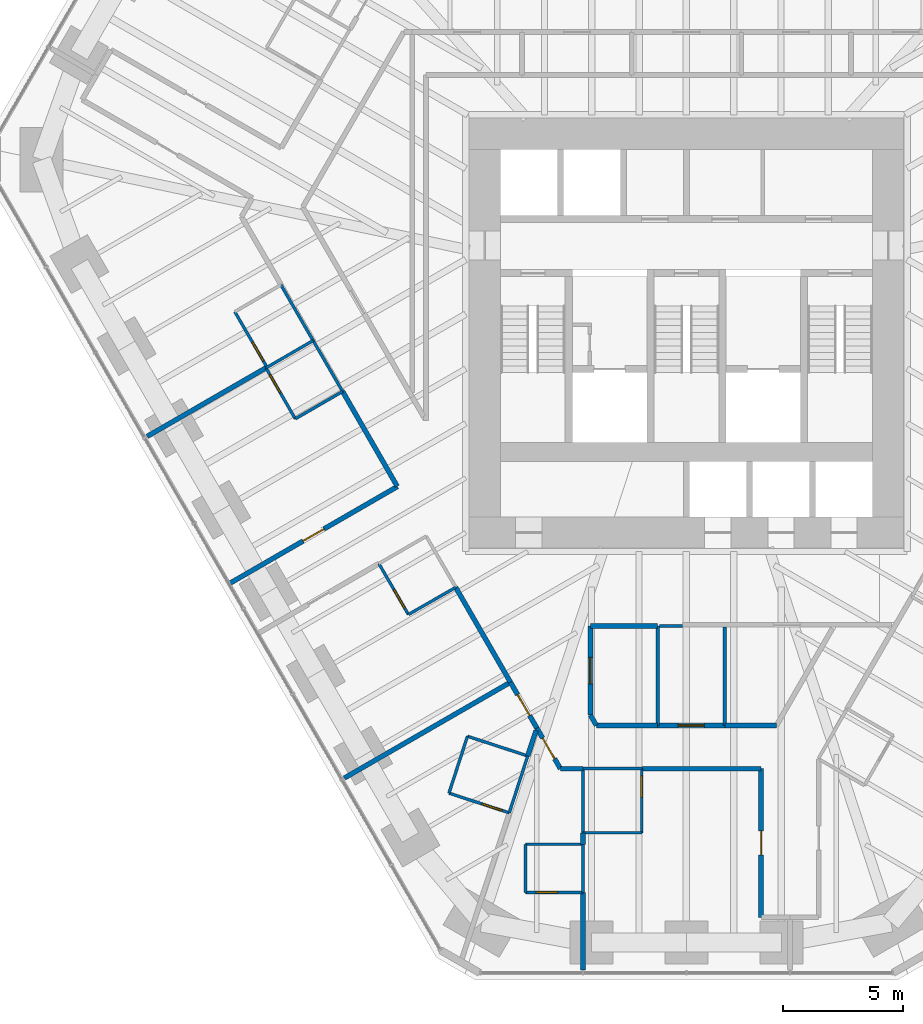
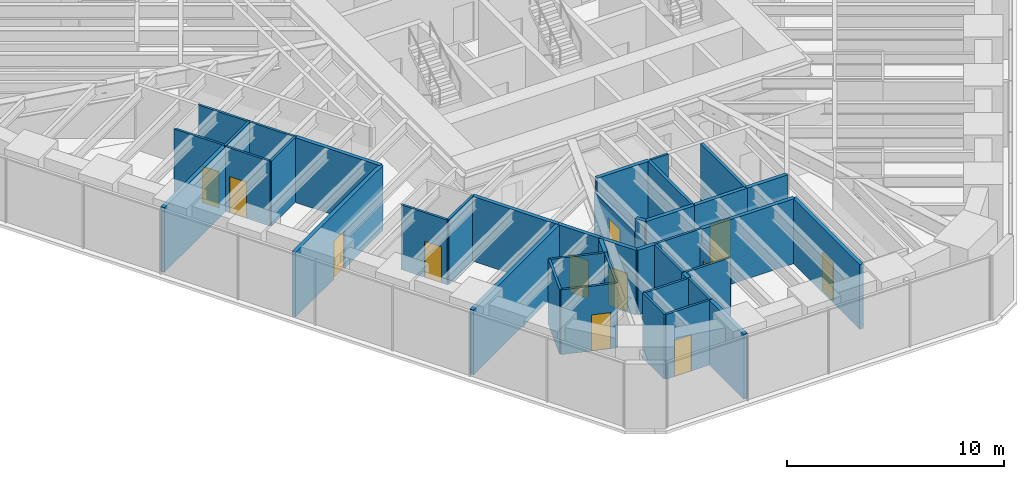
# One storey, part 11 of 17: 42 walls, 12 doors, 12 openings.
"""IFC4 building model written with IfcOpenShell, lengths in metres."""

from ifc_helpers import new_model, si_unit, direction, frame, frame_2d, origin, place, context, subcontext, project, spatial, rectangle, extrude, material, layer, layer_set, type_object, element, fill, save


model = new_model("IFC4")

# Units and contexts
model_context = context("Model", 3, precision=1e-05, world=origin(), true_north=direction((0.0, 1.0)))
body_context = subcontext(model_context, "Body", "Model", "MODEL_VIEW")
ifc_project = project(units=[si_unit("LENGTHUNIT", "METRE"), si_unit("AREAUNIT", "SQUARE_METRE"), si_unit("VOLUMEUNIT", "CUBIC_METRE"), si_unit("PLANEANGLEUNIT", "RADIAN"), si_unit("MASSUNIT", "GRAM", prefix="KILO")], contexts=[model_context])

# Site, building, storey
site_placement = place(None, origin())
site = spatial("IfcSite", under=ifc_project, at=site_placement, CompositionType="ELEMENT")
building_placement = place(site_placement, origin())
building = spatial("IfcBuilding", under=site, at=building_placement, Name="Sandreach Pilgrim Tower", CompositionType="ELEMENT")
storey_placement = place(building_placement, frame((0.0, 0.0, 119.60009765625)))
storey = spatial("IfcBuildingStorey", under=building, at=storey_placement, Name="L29", CompositionType="ELEMENT", Elevation=119.60009765625)

# Walls
ifc_material_1 = material(Name="Gypsum board on steel studs", Category="steel")
ifc_layer_1 = layer(ifc_material_1, 0.14990234375)
ifc_layer_set_1 = layer_set([ifc_layer_1], Name="Back of house wall 150")
wall_type_1 = type_object("IfcWallType", Name="Back of house wall 150", PredefinedType="PARTITIONING", material=ifc_layer_set_1)
wall_1_placement = place(storey_placement, frame((-1.199951171875, -13.75, 0.0), z_axis=(0.0, 0.0, 1.0), x_axis=(0.0, -1.0, 0.0)))
element("IfcWall", 1, at=wall_1_placement, inside=storey, type_object=wall_type_1, Name="Back of house wall L29-089", PredefinedType="PARTITIONING", context=body_context, shape_type="SweptSolid", body=[
    extrude(rectangle(XDim=4.139892578125, YDim=0.14990234375, at=frame_2d((2.06982421875, 0.0))), origin(), (0.0, 0.0, 1.0), 3.639892578125),
])
wall_2_placement = place(storey_placement, frame((1.60009765625, -13.800048828125, 0.0), z_axis=(0.0, 0.0, 1.0), x_axis=(0.0, -1.0, 0.0)))
element("IfcWall", 2, at=wall_2_placement, inside=storey, type_object=wall_type_1, Name="Back of house wall L29-093", PredefinedType="PARTITIONING", context=body_context, shape_type="SweptSolid", body=[
    extrude(rectangle(XDim=4.08984375, YDim=0.14990234375, at=frame_2d((2.044921875, 0.0))), origin(), (0.0, 0.0, 1.0), 3.639892578125),
])

# Wall, opening, door
ifc_material_2 = material(Name="Moisture-resistant gypsum board on steel studs", Category="steel")
ifc_layer_2 = layer(ifc_material_2, 0.1201171875)
ifc_layer_set_2 = layer_set([ifc_layer_2], Name="Bathroom partition 120")
wall_type_2 = type_object("IfcWallType", Name="Bathroom partition 120", PredefinedType="PARTITIONING", material=ifc_layer_set_2)
wall_3_placement = place(storey_placement, frame((-18.81005859375, -0.659912109375, 0.0), z_axis=(0.0, 0.0, 1.0), x_axis=(0.501789229896, -0.86498992408, 0.0)))
wall_3 = element("IfcWall", 3, at=wall_3_placement, inside=storey, type_object=wall_type_2, Name="Bathroom partition L29-007", PredefinedType="PARTITIONING", context=body_context, shape_type="SweptSolid", body=[
    extrude(rectangle(XDim=2.670654296875, YDim=0.1201171875, at=frame_2d((1.33544921875, 0.0))), origin(), (0.0, 0.0, 1.0), 3.639892578125),
])
opening_1_placement = place(wall_3_placement, frame((1.470458984375, 0.0, 0.0)))
opening_1 = element("IfcOpeningElement", 4, at=opening_1_placement, cuts=wall_3, Name="Opening D09-17B", PredefinedType="OPENING", context=body_context, shape_type="SweptSolid", body=[
    extrude(rectangle(XDim=0.89990234375, YDim=2.030029296875, at=frame_2d((0.449951171875, 1.01513671875))), frame((0.0, 0.06005859375, 0.0), z_axis=(0.0, -1.0, 0.0), x_axis=(1.0, 0.0, 0.0)), (0.0, 0.0, 1.0), 0.1201171875),
])
ifc_material_3 = material(Name="Timber door, steel frame", Category="steel")
door_type_1 = type_object("IfcDoorType", Name="Bathroom door", OperationType="SINGLE_SWING_LEFT", PredefinedType="DOOR", material=ifc_material_3)
door_1_placement = place(opening_1_placement, origin())
door_1 = element("IfcDoor", 5, at=door_1_placement, inside=storey, type_object=door_type_1, Name="Door 2917B", OperationType="SINGLE_SWING_RIGHT", OverallHeight=2.030029296875, OverallWidth=0.89990234375, PredefinedType="DOOR", context=body_context, shape_type="SweptSolid", body=[
    extrude(rectangle(XDim=0.89990234375, YDim=2.030029296875, at=frame_2d((0.449951171875, 1.01513671875))), frame((0.0, 0.02490234375, 0.0), z_axis=(0.0, -1.0, 0.0), x_axis=(1.0, 0.0, 0.0)), (0.0, 0.0, 1.0), 0.050048828125),
])
fill(opening_1, door_1)

# Wall
wall_4_placement = place(storey_placement, frame((-17.510009765625, -3.0, 0.0), z_axis=(0.0, 0.0, 1.0), x_axis=(0.864434275542, 0.502745843611, 0.0)))
element("IfcWall", 6, at=wall_4_placement, inside=storey, type_object=wall_type_2, Name="Bathroom partition L29-011", PredefinedType="PARTITIONING", context=body_context, shape_type="SweptSolid", body=[
    extrude(rectangle(XDim=2.267333984375, YDim=0.1201171875, at=frame_2d((1.1337890625, 0.0))), origin(), (0.0, 0.0, 1.0), 3.639892578125),
])

# Wall, opening, door
wall_5_placement = place(storey_placement, frame((-17.507568359375, -3.00439453125, 0.0), z_axis=(0.0, 0.0, 1.0), x_axis=(0.498775507858, -0.866731211369, 0.0)))
wall_5 = element("IfcWall", 7, at=wall_5_placement, inside=storey, type_object=wall_type_2, Name="Bathroom partition L29-012", PredefinedType="PARTITIONING", context=body_context, shape_type="SweptSolid", body=[
    extrude(rectangle(XDim=2.44091796875, YDim=0.1201171875, at=frame_2d((1.220458984375, 0.0))), origin(), (0.0, 0.0, 1.0), 3.639892578125),
])
opening_2_placement = place(wall_5_placement, frame((0.300048828125, 0.0, 0.0)))
opening_2 = element("IfcOpeningElement", 8, at=opening_2_placement, cuts=wall_5, Name="Opening D09-16B", PredefinedType="OPENING", context=body_context, shape_type="SweptSolid", body=[
    extrude(rectangle(XDim=0.89990234375, YDim=2.030029296875, at=frame_2d((0.449951171875, 1.01513671875))), frame((0.0, 0.06005859375, 0.0), z_axis=(0.0, -1.0, 0.0), x_axis=(1.0, 0.0, 0.0)), (0.0, 0.0, 1.0), 0.1201171875),
])
door_2_placement = place(opening_2_placement, origin())
door_2 = element("IfcDoor", 9, at=door_2_placement, inside=storey, type_object=door_type_1, Name="Door 2916B", OperationType="SINGLE_SWING_LEFT", OverallHeight=2.030029296875, OverallWidth=0.89990234375, PredefinedType="DOOR", context=body_context, shape_type="SweptSolid", body=[
    extrude(rectangle(XDim=0.89990234375, YDim=2.030029296875, at=frame_2d((0.449951171875, 1.01513671875))), frame((0.0, 0.02490234375, 0.0), z_axis=(0.0, -1.0, 0.0), x_axis=(1.0, 0.0, 0.0)), (0.0, 0.0, 1.0), 0.050048828125),
])
fill(opening_2, door_2)

# Walls
wall_6_placement = place(storey_placement, frame((-16.2900390625, -5.1201171875, 0.0), z_axis=(0.0, 0.0, 1.0), x_axis=(0.865497265561, 0.500913648553, 0.0)))
element("IfcWall", 10, at=wall_6_placement, inside=storey, type_object=wall_type_2, Name="Bathroom partition L29-019", PredefinedType="PARTITIONING", context=body_context, shape_type="SweptSolid", body=[
    extrude(rectangle(XDim=2.276123046875, YDim=0.1201171875, at=frame_2d((1.13818359375, 0.0))), origin(), (0.0, 0.0, 1.0), 3.639892578125),
])
wall_7_placement = place(storey_placement, frame((-15.550048828125, -1.860107421875, 0.0), z_axis=(0.0, 0.0, 1.0), x_axis=(-0.500098439427, 0.865968562295, 0.0)))
element("IfcWall", 11, at=wall_7_placement, inside=storey, type_object=wall_type_2, Name="Bathroom partition L29-024", PredefinedType="PARTITIONING", context=body_context, shape_type="SweptSolid", body=[
    extrude(rectangle(XDim=2.67919921875, YDim=0.1201171875, at=frame_2d((1.339599609375, 0.0))), origin(), (0.0, 0.0, 1.0), 3.639892578125),
])
wall_8_placement = place(storey_placement, frame((-15.550048828125, -1.860107421875, 0.0), z_axis=(0.0, 0.0, 1.0), x_axis=(0.501856726365, -0.86495076519, 0.0)))
element("IfcWall", 12, at=wall_8_placement, inside=storey, type_object=wall_type_2, Name="Bathroom partition L29-025", PredefinedType="PARTITIONING", context=body_context, shape_type="SweptSolid", body=[
    extrude(rectangle(XDim=2.450927734375, YDim=0.1201171875, at=frame_2d((1.2255859375, 0.0))), origin(), (0.0, 0.0, 1.0), 3.639892578125),
])

# Wall, opening, door
wall_9_placement = place(storey_placement, frame((-12.81005859375, -11.14990234375, 0.0), z_axis=(0.0, 0.0, 1.0), x_axis=(0.501813488763, -0.864975850817, 0.0)))
wall_9 = element("IfcWall", 13, at=wall_9_placement, inside=storey, type_object=wall_type_2, Name="Bathroom partition L29-034", PredefinedType="PARTITIONING", context=body_context, shape_type="SweptSolid", body=[
    extrude(rectangle(XDim=2.451171875, YDim=0.1201171875, at=frame_2d((1.2255859375, 0.0))), origin(), (0.0, 0.0, 1.0), 3.639892578125),
])
opening_3_placement = place(wall_9_placement, frame((1.2509765625, 0.0, 0.0)))
opening_3 = element("IfcOpeningElement", 14, at=opening_3_placement, cuts=wall_9, Name="Opening D09-15B", PredefinedType="OPENING", context=body_context, shape_type="SweptSolid", body=[
    extrude(rectangle(XDim=0.89990234375, YDim=2.030029296875, at=frame_2d((0.449951171875, 1.01513671875))), frame((0.0, 0.06005859375, 0.0), z_axis=(0.0, -1.0, 0.0), x_axis=(1.0, 0.0, 0.0)), (0.0, 0.0, 1.0), 0.1201171875),
])
door_3_placement = place(opening_3_placement, origin())
door_3 = element("IfcDoor", 15, at=door_3_placement, inside=storey, type_object=door_type_1, Name="Door 2915B", OperationType="SINGLE_SWING_RIGHT", OverallHeight=2.030029296875, OverallWidth=0.89990234375, PredefinedType="DOOR", context=body_context, shape_type="SweptSolid", body=[
    extrude(rectangle(XDim=0.89990234375, YDim=2.030029296875, at=frame_2d((0.449951171875, 1.01513671875))), frame((0.0, 0.02490234375, 0.0), z_axis=(0.0, -1.0, 0.0), x_axis=(1.0, 0.0, 0.0)), (0.0, 0.0, 1.0), 0.050048828125),
])
fill(opening_3, door_3)

# Wall
wall_10_placement = place(storey_placement, frame((-11.580078125, -13.27001953125, 0.0), z_axis=(0.0, 0.0, 1.0), x_axis=(0.867428373024, 0.497562074192, 0.0)))
element("IfcWall", 16, at=wall_10_placement, inside=storey, type_object=wall_type_2, Name="Bathroom partition L29-041", PredefinedType="PARTITIONING", context=body_context, shape_type="SweptSolid", body=[
    extrude(rectangle(XDim=2.271240234375, YDim=0.1201171875, at=frame_2d((1.1357421875, 0.0))), origin(), (0.0, 0.0, 1.0), 3.639892578125),
])

# Wall, opening, door
wall_11_placement = place(storey_placement, frame((-9.889892578125, -20.7099609375, 0.0), z_axis=(0.0, 0.0, 1.0), x_axis=(0.950543631688, -0.310591056307, 0.0)))
wall_11 = element("IfcWall", 17, at=wall_11_placement, inside=storey, type_object=wall_type_2, Name="Bathroom partition L29-050", PredefinedType="PARTITIONING", context=body_context, shape_type="SweptSolid", body=[
    extrude(rectangle(XDim=2.640380859375, YDim=0.1201171875, at=frame_2d((1.3203125, 0.0))), origin(), (0.0, 0.0, 1.0), 3.639892578125),
])
opening_4_placement = place(wall_11_placement, frame((1.4404296875, 0.0, 0.0)))
opening_4 = element("IfcOpeningElement", 18, at=opening_4_placement, cuts=wall_11, Name="Opening D09-14B", PredefinedType="OPENING", context=body_context, shape_type="SweptSolid", body=[
    extrude(rectangle(XDim=0.89990234375, YDim=2.030029296875, at=frame_2d((0.449951171875, 1.01513671875))), frame((0.0, 0.06005859375, 0.0), z_axis=(0.0, -1.0, 0.0), x_axis=(1.0, 0.0, 0.0)), (0.0, 0.0, 1.0), 0.1201171875),
])
door_4_placement = place(opening_4_placement, origin())
door_4 = element("IfcDoor", 19, at=door_4_placement, inside=storey, type_object=door_type_1, Name="Door 2914B", OperationType="SINGLE_SWING_RIGHT", OverallHeight=2.030029296875, OverallWidth=0.89990234375, PredefinedType="DOOR", context=body_context, shape_type="SweptSolid", body=[
    extrude(rectangle(XDim=0.89990234375, YDim=2.030029296875, at=frame_2d((0.449951171875, 1.01513671875))), frame((0.0, 0.02490234375, 0.0), z_axis=(0.0, -1.0, 0.0), x_axis=(1.0, 0.0, 0.0)), (0.0, 0.0, 1.0), 0.050048828125),
])
fill(opening_4, door_4)

# Walls
for number, where, z_axis, x_axis, name in (
    (20, (-9.1201171875, -18.340087890625, 0.0), (0.0, 0.0, 1.0), (-0.308928769498, -0.951085177772, 0.0), "Bathroom partition L29-054"),
    (21, (-7.3798828125, -21.530029296875, 0.0), (0.0, 0.0, 1.0), (0.308928769498, 0.951085177772, 0.0), "Bathroom partition L29-055"),
):
    element("IfcWall", number, at=place(storey_placement, frame(where, z_axis=z_axis, x_axis=x_axis)), inside=storey, type_object=wall_type_2, Name=name, PredefinedType="PARTITIONING", context=body_context, shape_type="SweptSolid", body=[
        extrude(rectangle(XDim=2.49169921875, YDim=0.1201171875, at=frame_2d((1.245849609375, 0.0))), origin(), (0.0, 0.0, 1.0), 3.639892578125),
    ])

# Wall, opening, door
wall_12_placement = place(storey_placement, frame((-6.7099609375, -24.840087890625, 0.0), z_axis=(0.0, 0.0, 1.0), x_axis=(1.0, 0.0, 0.0)))
wall_12 = element("IfcWall", 22, at=wall_12_placement, inside=storey, type_object=wall_type_2, Name="Bathroom partition L29-061", PredefinedType="PARTITIONING", context=body_context, shape_type="SweptSolid", body=[
    extrude(rectangle(XDim=2.39990234375, YDim=0.1201171875, at=frame_2d((1.199951171875, 0.0))), origin(), (0.0, 0.0, 1.0), 3.639892578125),
])
opening_5_placement = place(wall_12_placement, frame((0.449951171875, 0.0, 0.0)))
opening_5 = element("IfcOpeningElement", 23, at=opening_5_placement, cuts=wall_12, Name="Opening D09-13B", PredefinedType="OPENING", context=body_context, shape_type="SweptSolid", body=[
    extrude(rectangle(XDim=0.89990234375, YDim=2.030029296875, at=frame_2d((0.449951171875, 1.01513671875))), frame((0.0, 0.06005859375, 0.0), z_axis=(0.0, -1.0, 0.0), x_axis=(1.0, 0.0, 0.0)), (0.0, 0.0, 1.0), 0.1201171875),
])
door_5_placement = place(opening_5_placement, origin())
door_5 = element("IfcDoor", 24, at=door_5_placement, inside=storey, type_object=door_type_1, Name="Door 2913B", OperationType="SINGLE_SWING_LEFT", OverallHeight=2.030029296875, OverallWidth=0.89990234375, PredefinedType="DOOR", context=body_context, shape_type="SweptSolid", body=[
    extrude(rectangle(XDim=0.89990234375, YDim=2.030029296875, at=frame_2d((0.449951171875, 1.01513671875))), frame((0.0, 0.02490234375, 0.0), z_axis=(0.0, -1.0, 0.0), x_axis=(1.0, 0.0, 0.0)), (0.0, 0.0, 1.0), 0.050048828125),
])
fill(opening_5, door_5)

# Walls
wall_13_placement = place(storey_placement, frame((-6.7099609375, -22.840087890625, 0.0), z_axis=(0.0, 0.0, 1.0), x_axis=(0.0, -1.0, 0.0)))
element("IfcWall", 25, at=wall_13_placement, inside=storey, type_object=wall_type_2, Name="Bathroom partition L29-062", PredefinedType="PARTITIONING", context=body_context, shape_type="SweptSolid", body=[
    extrude(rectangle(XDim=2.0, YDim=0.1201171875, at=frame_2d((1.0, 0.0))), origin(), (0.0, 0.0, 1.0), 3.639892578125),
])
wall_14_placement = place(storey_placement, frame((-6.610107421875, -19.159912109375, 0.0), z_axis=(0.0, 0.0, 1.0), x_axis=(-0.950570927373, 0.31050750721, 0.0)))
element("IfcWall", 26, at=wall_14_placement, inside=storey, type_object=wall_type_2, Name="Bathroom partition L29-063", PredefinedType="PARTITIONING", context=body_context, shape_type="SweptSolid", body=[
    extrude(rectangle(XDim=2.640380859375, YDim=0.1201171875, at=frame_2d((1.3203125, 0.0))), origin(), (0.0, 0.0, 1.0), 3.639892578125),
])
wall_15_placement = place(storey_placement, frame((-4.31005859375, -24.840087890625, 0.0), z_axis=(0.0, 0.0, 1.0), x_axis=(0.0, 1.0, 0.0)))
element("IfcWall", 27, at=wall_15_placement, inside=storey, type_object=wall_type_2, Name="Bathroom partition L29-070", PredefinedType="PARTITIONING", context=body_context, shape_type="SweptSolid", body=[
    extrude(rectangle(XDim=2.0, YDim=0.1201171875, at=frame_2d((1.0, 0.0))), origin(), (0.0, 0.0, 1.0), 3.639892578125),
])
wall_16_placement = place(storey_placement, frame((-4.31005859375, -22.840087890625, 0.0), z_axis=(0.0, 0.0, 1.0), x_axis=(-1.0, 0.0, 0.0)))
element("IfcWall", 28, at=wall_16_placement, inside=storey, type_object=wall_type_2, Name="Bathroom partition L29-071", PredefinedType="PARTITIONING", context=body_context, shape_type="SweptSolid", body=[
    extrude(rectangle(XDim=2.39990234375, YDim=0.1201171875, at=frame_2d((1.199951171875, 0.0))), origin(), (0.0, 0.0, 1.0), 3.639892578125),
])
wall_17_placement = place(storey_placement, frame((-4.31005859375, -22.360107421875, 0.0), z_axis=(0.0, 0.0, 1.0), x_axis=(0.0, 1.0, 0.0)))
element("IfcWall", 29, at=wall_17_placement, inside=storey, type_object=wall_type_2, Name="Bathroom partition L29-073", PredefinedType="PARTITIONING", context=body_context, shape_type="SweptSolid", body=[
    extrude(rectangle(XDim=2.670166015625, YDim=0.1201171875, at=frame_2d((1.3349609375, 0.0))), origin(), (0.0, 0.0, 1.0), 3.639892578125),
])
for number, where, z_axis, x_axis, name in (
    (30, (-4.31005859375, -22.360107421875, 0.0), (0.0, 0.0, 1.0), (1.0, 0.0, 0.0), "Bathroom partition L29-074"),
    (31, (-4.31005859375, -19.68994140625, 0.0), (0.0, 0.0, 1.0), (1.0, 0.0, 0.0), "Bathroom partition L29-075"),
):
    element("IfcWall", number, at=place(storey_placement, frame(where, z_axis=z_axis, x_axis=x_axis)), inside=storey, type_object=wall_type_2, Name=name, PredefinedType="PARTITIONING", context=body_context, shape_type="SweptSolid", body=[
        extrude(rectangle(XDim=2.449951171875, YDim=0.1201171875, at=frame_2d((1.22509765625, 0.0))), origin(), (0.0, 0.0, 1.0), 3.639892578125),
    ])

# Wall, opening, door
wall_18_placement = place(storey_placement, frame((-1.860107421875, -22.360107421875, 0.0), z_axis=(0.0, 0.0, 1.0), x_axis=(0.0, 1.0, 0.0)))
wall_18 = element("IfcWall", 32, at=wall_18_placement, inside=storey, type_object=wall_type_2, Name="Bathroom partition L29-086", PredefinedType="PARTITIONING", context=body_context, shape_type="SweptSolid", body=[
    extrude(rectangle(XDim=2.670166015625, YDim=0.1201171875, at=frame_2d((1.3349609375, 0.0))), origin(), (0.0, 0.0, 1.0), 2.860107421875),
])
opening_6_placement = place(wall_18_placement, frame((1.469970703125, 0.0, 0.0)))
opening_6 = element("IfcOpeningElement", 33, at=opening_6_placement, cuts=wall_18, Name="Opening D09-12B", PredefinedType="OPENING", context=body_context, shape_type="SweptSolid", body=[
    extrude(rectangle(XDim=0.89990234375, YDim=2.030029296875, at=frame_2d((0.449951171875, 1.01513671875))), frame((0.0, 0.06005859375, 0.0), z_axis=(0.0, -1.0, 0.0), x_axis=(1.0, 0.0, 0.0)), (0.0, 0.0, 1.0), 0.1201171875),
])
door_6_placement = place(opening_6_placement, origin())
door_6 = element("IfcDoor", 34, at=door_6_placement, inside=storey, type_object=door_type_1, Name="Door 2912B", OperationType="SINGLE_SWING_RIGHT", OverallHeight=2.030029296875, OverallWidth=0.89990234375, PredefinedType="DOOR", context=body_context, shape_type="SweptSolid", body=[
    extrude(rectangle(XDim=0.89990234375, YDim=2.030029296875, at=frame_2d((0.449951171875, 1.01513671875))), frame((0.0, 0.02490234375, 0.0), z_axis=(0.0, -1.0, 0.0), x_axis=(1.0, 0.0, 0.0)), (0.0, 0.0, 1.0), 0.050048828125),
])
fill(opening_6, door_6)

# Walls
wall_19_placement = place(storey_placement, frame((-1.125, -13.75, 0.0), z_axis=(0.0, 0.0, 1.0), x_axis=(1.0, 0.0, 0.0)))
element("IfcWall", 35, at=wall_19_placement, inside=storey, type_object=wall_type_2, Name="Bathroom partition L29-090", PredefinedType="PARTITIONING", context=body_context, shape_type="SweptSolid", body=[
    extrude(rectangle(XDim=0.955078125, YDim=0.1201171875, at=frame_2d((0.4775390625, 0.0))), origin(), (0.0, 0.0, 1.0), 3.639892578125),
])
ifc_material_4 = material(Name="Gypsum board on steel studs, two layers each side", Category="steel")
ifc_layer_3 = layer(ifc_material_4, 0.199951171875)
ifc_layer_set_3 = layer_set([ifc_layer_3], Name="Corridor wall 200")
wall_type_3 = type_object("IfcWallType", Name="Corridor wall 200", PredefinedType="PARTITIONING", material=ifc_layer_set_3)
wall_20_placement = place(storey_placement, frame((-14.320068359375, -3.97998046875, 0.0), z_axis=(0.0, 0.0, 1.0), x_axis=(0.49899372311, -0.866605599046, 0.0)))
element("IfcWall", 36, at=wall_20_placement, inside=storey, type_object=wall_type_3, Name="Corridor wall L29-029", PredefinedType="PARTITIONING", context=body_context, shape_type="SweptSolid", body=[
    extrude(rectangle(XDim=4.5546875, YDim=0.199951171875, at=frame_2d((2.27734375, 0.0))), origin(), (0.0, 0.0, 1.0), 3.639892578125),
])

# Wall, opening, door
wall_21_placement = place(storey_placement, frame((-12.0400390625, -7.93994140625, 0.0), z_axis=(0.0, 0.0, 1.0), x_axis=(-0.86587701925, -0.500256921525, 0.0)))
wall_21 = element("IfcWall", 37, at=wall_21_placement, inside=storey, type_object=wall_type_3, Name="Corridor wall L29-039", PredefinedType="PARTITIONING", context=body_context, shape_type="SweptSolid", body=[
    extrude(rectangle(XDim=8.065673828125, YDim=0.199951171875, at=frame_2d((4.03271484375, 0.0))), origin(), (0.0, 0.0, 1.0), 3.639892578125),
])
opening_7_placement = place(wall_21_placement, frame((3.532958984375, 0.0, 0.0)))
opening_7 = element("IfcOpeningElement", 38, at=opening_7_placement, cuts=wall_21, Name="Opening D10-16", PredefinedType="OPENING", context=body_context, shape_type="SweptSolid", body=[
    extrude(rectangle(XDim=1.0, YDim=2.1298828125, at=frame_2d((0.5, 1.06494140625))), frame((0.0, 0.10009765625, 0.0), z_axis=(0.0, -1.0, 0.0), x_axis=(1.0, 0.0, 0.0)), (0.0, 0.0, 1.0), 0.199951171875),
])
ifc_material_5 = material(Name="Steel door and frame", Category="steel")
door_type_2 = type_object("IfcDoorType", Name="Guest room entry door", OperationType="SINGLE_SWING_LEFT", PredefinedType="DOOR", material=ifc_material_5)
door_7_placement = place(opening_7_placement, origin())
door_7 = element("IfcDoor", 39, at=door_7_placement, inside=storey, type_object=door_type_2, Name="Door 2916", OperationType="SINGLE_SWING_LEFT", OverallHeight=2.1298828125, OverallWidth=1.0, PredefinedType="DOOR", context=body_context, shape_type="SweptSolid", body=[
    extrude(rectangle(XDim=1.0, YDim=2.1298828125, at=frame_2d((0.5, 1.06494140625))), frame((0.0, 0.02490234375, 0.0), z_axis=(0.0, -1.0, 0.0), x_axis=(1.0, 0.0, 0.0)), (0.0, 0.0, 1.0), 0.050048828125),
])
fill(opening_7, door_7)

# Wall
wall_22_placement = place(storey_placement, frame((-9.610107421875, -12.139892578125, 0.0), z_axis=(0.0, 0.0, 1.0), x_axis=(0.499898533245, -0.866083977718, 0.0)))
element("IfcWall", 40, at=wall_22_placement, inside=storey, type_object=wall_type_3, Name="Corridor wall L29-053", PredefinedType="PARTITIONING", context=body_context, shape_type="SweptSolid", body=[
    extrude(rectangle(XDim=4.56103515625, YDim=0.199951171875, at=frame_2d((2.280517578125, 0.0))), origin(), (0.0, 0.0, 1.0), 3.639892578125),
])

# Wall, opening, door
wall_23_placement = place(storey_placement, frame((-7.330078125, -16.090087890625, 0.0), z_axis=(0.0, 0.0, 1.0), x_axis=(0.499118212815, -0.866533905648, 0.0)))
wall_23 = element("IfcWall", 41, at=wall_23_placement, inside=storey, type_object=wall_type_3, Name="Corridor wall L29-057", PredefinedType="PARTITIONING", context=body_context, shape_type="SweptSolid", body=[
    extrude(rectangle(XDim=2.2041015625, YDim=0.199951171875, at=frame_2d((1.10205078125, 0.0))), origin(), (0.0, 0.0, 1.0), 3.639892578125),
])
opening_8_placement = place(wall_23_placement, frame((0.60205078125, 0.0, 0.0)))
opening_8 = element("IfcOpeningElement", 42, at=opening_8_placement, cuts=wall_23, Name="Opening D10-14", PredefinedType="OPENING", context=body_context, shape_type="SweptSolid", body=[
    extrude(rectangle(XDim=1.0, YDim=2.1298828125, at=frame_2d((0.5, 1.06494140625))), frame((0.0, 0.10009765625, 0.0), z_axis=(0.0, -1.0, 0.0), x_axis=(1.0, 0.0, 0.0)), (0.0, 0.0, 1.0), 0.199951171875),
])
door_8_placement = place(opening_8_placement, origin())
door_8 = element("IfcDoor", 43, at=door_8_placement, inside=storey, type_object=door_type_2, Name="Door 2914", OperationType="SINGLE_SWING_LEFT", OverallHeight=2.1298828125, OverallWidth=1.0, PredefinedType="DOOR", context=body_context, shape_type="SweptSolid", body=[
    extrude(rectangle(XDim=1.0, YDim=2.1298828125, at=frame_2d((0.5, 1.06494140625))), frame((0.0, 0.02490234375, 0.0), z_axis=(0.0, -1.0, 0.0), x_axis=(1.0, 0.0, 0.0)), (0.0, 0.0, 1.0), 0.050048828125),
])
fill(opening_8, door_8)

wall_24_placement = place(storey_placement, frame((-6.22998046875, -18.0, 0.0), z_axis=(0.0, 0.0, 1.0), x_axis=(0.501647016168, -0.86507240805, 0.0)))
wall_24 = element("IfcWall", 44, at=wall_24_placement, inside=storey, type_object=wall_type_3, Name="Corridor wall L29-065", PredefinedType="PARTITIONING", context=body_context, shape_type="SweptSolid", body=[
    extrude(rectangle(XDim=1.95361328125, YDim=0.199951171875, at=frame_2d((0.976806640625, 0.0))), origin(), (0.0, 0.0, 1.0), 3.639892578125),
])
opening_9_placement = place(wall_24_placement, frame((0.476806640625, 0.0, 0.0)))
opening_9 = element("IfcOpeningElement", 45, at=opening_9_placement, cuts=wall_24, Name="Opening D10-13", PredefinedType="OPENING", context=body_context, shape_type="SweptSolid", body=[
    extrude(rectangle(XDim=1.0, YDim=2.1298828125, at=frame_2d((0.5, 1.06494140625))), frame((0.0, 0.10009765625, 0.0), z_axis=(0.0, -1.0, 0.0), x_axis=(1.0, 0.0, 0.0)), (0.0, 0.0, 1.0), 0.199951171875),
])
door_9_placement = place(opening_9_placement, origin())
door_9 = element("IfcDoor", 46, at=door_9_placement, inside=storey, type_object=door_type_2, Name="Door 2913", OperationType="SINGLE_SWING_LEFT", OverallHeight=2.1298828125, OverallWidth=1.0, PredefinedType="DOOR", context=body_context, shape_type="SweptSolid", body=[
    extrude(rectangle(XDim=1.0, YDim=2.1298828125, at=frame_2d((0.5, 1.06494140625))), frame((0.0, 0.02490234375, 0.0), z_axis=(0.0, -1.0, 0.0), x_axis=(1.0, 0.0, 0.0)), (0.0, 0.0, 1.0), 0.050048828125),
])
fill(opening_9, door_9)

# Wall
wall_25_placement = place(storey_placement, frame((-5.25, -19.68994140625, 0.0), z_axis=(0.0, 0.0, 1.0), x_axis=(1.0, 0.0, 0.0)))
element("IfcWall", 47, at=wall_25_placement, inside=storey, type_object=wall_type_3, Name="Corridor wall L29-068", PredefinedType="PARTITIONING", context=body_context, shape_type="SweptSolid", body=[
    extrude(rectangle(XDim=0.93994140625, YDim=0.199951171875, at=frame_2d((0.469970703125, 0.0))), origin(), (0.0, 0.0, 1.0), 3.639892578125),
])

# Wall, opening, door
wall_26_placement = place(storey_placement, frame((-4.0, -17.4599609375, 0.0), z_axis=(0.0, 0.0, 1.0), x_axis=(0.0, 1.0, 0.0)))
wall_26 = element("IfcWall", 48, at=wall_26_placement, inside=storey, type_object=wall_type_3, Name="Corridor wall L29-076", PredefinedType="PARTITIONING", context=body_context, shape_type="SweptSolid", body=[
    extrude(rectangle(XDim=3.7099609375, YDim=0.199951171875, at=frame_2d((1.85498046875, 0.0))), origin(), (0.0, 0.0, 1.0), 2.8779296875),
])
opening_10_placement = place(wall_26_placement, frame((1.304931640625, 0.0, 0.0)))
opening_10 = element("IfcOpeningElement", 49, at=opening_10_placement, cuts=wall_26, Name="Opening D11H-S2", PredefinedType="OPENING", context=body_context, shape_type="SweptSolid", body=[
    extrude(rectangle(XDim=1.10009765625, YDim=2.199951171875, at=frame_2d((0.550048828125, 1.10009765625))), frame((0.0, 0.10009765625, 0.0), z_axis=(0.0, -1.0, 0.0), x_axis=(1.0, 0.0, 0.0)), (0.0, 0.0, 1.0), 0.199951171875),
])
ifc_material_6 = material(Name="Steel door and frame", Category="steel")
door_type_3 = type_object("IfcDoorType", Name="Back of house door", OperationType="SINGLE_SWING_LEFT", PredefinedType="DOOR", material=ifc_material_6)
door_10_placement = place(opening_10_placement, origin())
door_10 = element("IfcDoor", 50, at=door_10_placement, inside=storey, type_object=door_type_3, Name="Door 29S2", OperationType="SINGLE_SWING_LEFT", OverallHeight=2.199951171875, OverallWidth=1.10009765625, PredefinedType="DOOR", context=body_context, shape_type="SweptSolid", body=[
    extrude(rectangle(XDim=1.10009765625, YDim=2.199951171875, at=frame_2d((0.550048828125, 1.10009765625))), frame((0.0, 0.02490234375, 0.0), z_axis=(0.0, -1.0, 0.0), x_axis=(1.0, 0.0, 0.0)), (0.0, 0.0, 1.0), 0.050048828125),
])
fill(opening_10, door_10)

# Walls
wall_27_placement = place(storey_placement, frame((-3.989990234375, -13.75, 0.0), z_axis=(0.0, 0.0, 1.0), x_axis=(1.0, 0.0, 0.0)))
element("IfcWall", 51, at=wall_27_placement, inside=storey, type_object=wall_type_3, Name="Corridor wall L29-077", PredefinedType="PARTITIONING", context=body_context, shape_type="SweptSolid", body=[
    extrude(rectangle(XDim=2.7900390625, YDim=0.199951171875, at=frame_2d((1.39501953125, 0.0))), origin(), (0.0, 0.0, 1.0), 3.639892578125),
])
wall_28_placement = place(storey_placement, frame((-3.75, -17.889892578125, 0.0), z_axis=(0.0, 0.0, 1.0), x_axis=(-0.502680181512, 0.864472460588, 0.0)))
element("IfcWall", 52, at=wall_28_placement, inside=storey, type_object=wall_type_3, Name="Corridor wall L29-078", PredefinedType="PARTITIONING", context=body_context, shape_type="SweptSolid", body=[
    extrude(rectangle(XDim=0.497314453125, YDim=0.199951171875, at=frame_2d((0.24853515625, 0.0))), origin(), (0.0, 0.0, 1.0), 3.639892578125),
])
wall_29_placement = place(storey_placement, frame((-1.860107421875, -19.68994140625, 0.0), z_axis=(0.0, 0.0, 1.0), x_axis=(1.0, 0.0, 0.0)))
element("IfcWall", 53, at=wall_29_placement, inside=storey, type_object=wall_type_3, Name="Corridor wall L29-087", PredefinedType="PARTITIONING", context=body_context, shape_type="SweptSolid", body=[
    extrude(rectangle(XDim=4.960205078125, YDim=0.199951171875, at=frame_2d((2.47998046875, 0.0))), origin(), (0.0, 0.0, 1.0), 3.639892578125),
])
wall_30_placement = place(storey_placement, frame((-1.199951171875, -17.889892578125, 0.0), z_axis=(0.0, 0.0, 1.0), x_axis=(-1.0, 0.0, 0.0)))
element("IfcWall", 54, at=wall_30_placement, inside=storey, type_object=wall_type_3, Name="Corridor wall L29-088", PredefinedType="PARTITIONING", context=body_context, shape_type="SweptSolid", body=[
    extrude(rectangle(XDim=2.550048828125, YDim=0.199951171875, at=frame_2d((1.27490234375, 0.0))), origin(), (0.0, 0.0, 1.0), 3.639892578125),
])

# Wall, opening, door
wall_31_placement = place(storey_placement, frame((1.60009765625, -17.889892578125, 0.0), z_axis=(0.0, 0.0, 1.0), x_axis=(-1.0, 0.0, 0.0)))
wall_31 = element("IfcWall", 55, at=wall_31_placement, inside=storey, type_object=wall_type_3, Name="Corridor wall L29-092", PredefinedType="PARTITIONING", context=body_context, shape_type="SweptSolid", body=[
    extrude(rectangle(XDim=2.800048828125, YDim=0.199951171875, at=frame_2d((1.39990234375, 0.0))), origin(), (0.0, 0.0, 1.0), 3.639892578125),
])
opening_11_placement = place(wall_31_placement, frame((0.85009765625, 0.0, 0.0)))
opening_11 = element("IfcOpeningElement", 56, at=opening_11_placement, cuts=wall_31, Name="Opening D11H-S3", PredefinedType="OPENING", context=body_context, shape_type="SweptSolid", body=[
    extrude(rectangle(XDim=1.10009765625, YDim=2.199951171875, at=frame_2d((0.550048828125, 1.10009765625))), frame((0.0, 0.10009765625, 0.0), z_axis=(0.0, -1.0, 0.0), x_axis=(1.0, 0.0, 0.0)), (0.0, 0.0, 1.0), 0.199951171875),
])
door_11_placement = place(opening_11_placement, origin())
door_11 = element("IfcDoor", 57, at=door_11_placement, inside=storey, type_object=door_type_3, Name="Door 29S3", OperationType="SINGLE_SWING_LEFT", OverallHeight=2.199951171875, OverallWidth=1.10009765625, PredefinedType="DOOR", context=body_context, shape_type="SweptSolid", body=[
    extrude(rectangle(XDim=1.10009765625, YDim=2.199951171875, at=frame_2d((0.550048828125, 1.10009765625))), frame((0.0, 0.02490234375, 0.0), z_axis=(0.0, -1.0, 0.0), x_axis=(1.0, 0.0, 0.0)), (0.0, 0.0, 1.0), 0.050048828125),
])
fill(opening_11, door_11)

wall_32_placement = place(storey_placement, frame((3.110107421875, -19.68994140625, 0.0), z_axis=(0.0, 0.0, 1.0), x_axis=(0.0, -1.0, 0.0)))
wall_32 = element("IfcWall", 58, at=wall_32_placement, inside=storey, type_object=wall_type_3, Name="Corridor wall L29-097", PredefinedType="PARTITIONING", context=body_context, shape_type="SweptSolid", body=[
    extrude(rectangle(XDim=6.18994140625, YDim=0.199951171875, at=frame_2d((3.094970703125, 0.0))), origin(), (0.0, 0.0, 1.0), 3.639892578125),
])
opening_12_placement = place(wall_32_placement, frame((2.594970703125, 0.0, 0.0)))
opening_12 = element("IfcOpeningElement", 59, at=opening_12_placement, cuts=wall_32, Name="Opening D10-12", PredefinedType="OPENING", context=body_context, shape_type="SweptSolid", body=[
    extrude(rectangle(XDim=1.0, YDim=2.1298828125, at=frame_2d((0.5, 1.06494140625))), frame((0.0, 0.10009765625, 0.0), z_axis=(0.0, -1.0, 0.0), x_axis=(1.0, 0.0, 0.0)), (0.0, 0.0, 1.0), 0.199951171875),
])
door_12_placement = place(opening_12_placement, origin())
door_12 = element("IfcDoor", 60, at=door_12_placement, inside=storey, type_object=door_type_2, Name="Door 2912", OperationType="SINGLE_SWING_LEFT", OverallHeight=2.1298828125, OverallWidth=1.0, PredefinedType="DOOR", context=body_context, shape_type="SweptSolid", body=[
    extrude(rectangle(XDim=1.0, YDim=2.1298828125, at=frame_2d((0.5, 1.06494140625))), frame((0.0, 0.02490234375, 0.0), z_axis=(0.0, -1.0, 0.0), x_axis=(1.0, 0.0, 0.0)), (0.0, 0.0, 1.0), 0.050048828125),
])
fill(opening_12, door_12)

# Walls
wall_33_placement = place(storey_placement, frame((3.75, -17.889892578125, 0.0), z_axis=(0.0, 0.0, 1.0), x_axis=(-1.0, 0.0, 0.0)))
element("IfcWall", 61, at=wall_33_placement, inside=storey, type_object=wall_type_3, Name="Corridor wall L29-101", PredefinedType="PARTITIONING", context=body_context, shape_type="SweptSolid", body=[
    extrude(rectangle(XDim=2.14990234375, YDim=0.199951171875, at=frame_2d((1.074951171875, 0.0))), origin(), (0.0, 0.0, 1.0), 3.639892578125),
])
ifc_material_7 = material(Name="Double steel stud acoustic wall, gypsum board", Category="steel")
ifc_layer_4 = layer(ifc_material_7, 0.199951171875)
ifc_layer_set_4 = layer_set([ifc_layer_4], Name="Party wall 200")
wall_type_4 = type_object("IfcWallType", Name="Party wall 200", PredefinedType="PARTITIONING", material=ifc_layer_set_4)
wall_34_placement = place(storey_placement, frame((-17.469970703125, -2.969970703125, 0.0), z_axis=(0.0, 0.0, 1.0), x_axis=(-0.865919350456, -0.50018364478, 0.0)))
element("IfcWall", 62, at=wall_34_placement, inside=storey, type_object=wall_type_4, Name="Party wall L29-014", PredefinedType="PARTITIONING", context=body_context, shape_type="SweptSolid", body=[
    extrude(rectangle(XDim=5.758056640625, YDim=0.199951171875, at=frame_2d((2.87890625, 0.0))), origin(), (0.0, 0.0, 1.0), 3.639892578125),
])
wall_35_placement = place(storey_placement, frame((-14.24609375, -20.080078125, 0.0), z_axis=(0.0, 0.0, 1.0), x_axis=(0.866178955952, 0.49973394548, 0.0)))
element("IfcWall", 63, at=wall_35_placement, inside=storey, type_object=wall_type_4, Name="Party wall L29-031", PredefinedType="PARTITIONING", context=body_context, shape_type="SweptSolid", body=[
    extrude(rectangle(XDim=7.969482421875, YDim=0.199951171875, at=frame_2d((3.98486328125, 0.0))), origin(), (0.0, 0.0, 1.0), 3.639892578125),
])
wall_36_placement = place(storey_placement, frame((-6.610107421875, -19.159912109375, 0.0), z_axis=(0.0, 0.0, 1.0), x_axis=(0.311430803564, 0.9502688328, 0.0)))
element("IfcWall", 64, at=wall_36_placement, inside=storey, type_object=wall_type_4, Name="Party wall L29-064", PredefinedType="PARTITIONING", context=body_context, shape_type="SweptSolid", body=[
    extrude(rectangle(XDim=1.115478515625, YDim=0.199951171875, at=frame_2d((0.5576171875, 0.0))), origin(), (0.0, 0.0, 1.0), 3.639892578125),
])
wall_37_placement = place(storey_placement, frame((-4.31005859375, -28.070068359375, 0.0), z_axis=(0.0, 0.0, 1.0), x_axis=(0.0, 1.0, 0.0)))
element("IfcWall", 65, at=wall_37_placement, inside=storey, type_object=wall_type_4, Name="Party wall L29-069", PredefinedType="PARTITIONING", context=body_context, shape_type="SweptSolid", body=[
    extrude(rectangle(XDim=3.22998046875, YDim=0.199951171875, at=frame_2d((1.614990234375, 0.0))), origin(), (0.0, 0.0, 1.0), 3.639892578125),
])
wall_38_placement = place(storey_placement, frame((-4.31005859375, -22.840087890625, 0.0), z_axis=(0.0, 0.0, 1.0), x_axis=(0.0, 1.0, 0.0)))
element("IfcWall", 66, at=wall_38_placement, inside=storey, type_object=wall_type_4, Name="Party wall L29-072", PredefinedType="PARTITIONING", context=body_context, shape_type="SweptSolid", body=[
    extrude(rectangle(XDim=0.47998046875, YDim=0.199951171875, at=frame_2d((0.239990234375, 0.0))), origin(), (0.0, 0.0, 1.0), 3.639892578125),
])

save(model, "model.ifc")
